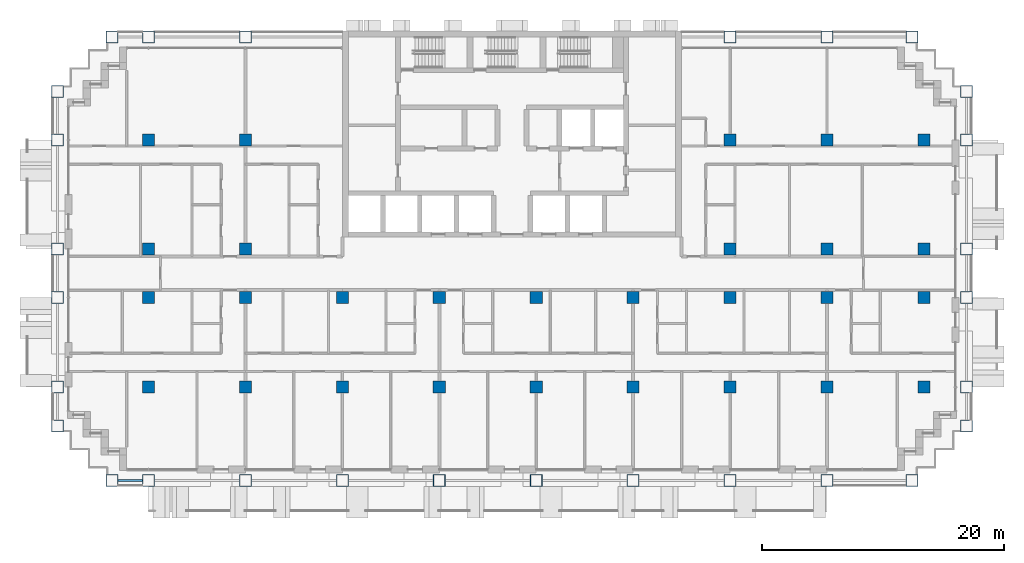
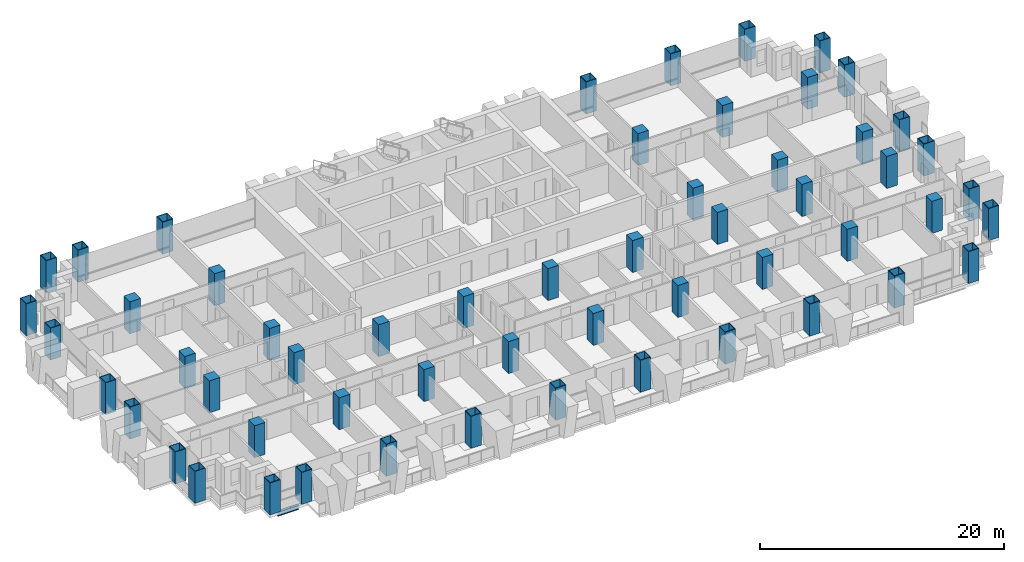
# One storey, part 1 of 19: 56 columns, 1 beam.
"""IFC4 building model written with IfcOpenShell, lengths in metres."""

from ifc_helpers import new_model, si_unit, direction, frame, origin, origin_2d, place, context, subcontext, project, spatial, rectangle, hollow_rectangle, i_section, extrude, material, material_profile, profile_set, type_object, element, save


model = new_model("IFC4")

# Units and contexts
model_context = context("Model", 3, precision=1e-05, world=origin(), true_north=direction((0.0, 1.0)))
body_context = subcontext(model_context, "Body", "Model", "MODEL_VIEW")
ifc_project = project(units=[si_unit("LENGTHUNIT", "METRE"), si_unit("AREAUNIT", "SQUARE_METRE"), si_unit("VOLUMEUNIT", "CUBIC_METRE"), si_unit("PLANEANGLEUNIT", "RADIAN"), si_unit("MASSUNIT", "GRAM", prefix="KILO")], contexts=[model_context])

# Site, building, storey
site_placement = place(None, origin())
site = spatial("IfcSite", under=ifc_project, at=site_placement, CompositionType="ELEMENT")
building_placement = place(site_placement, origin())
building = spatial("IfcBuilding", under=site, at=building_placement, Name="Vidyagriha Tower", CompositionType="ELEMENT")
storey_placement = place(building_placement, frame((0.0, 0.0, 57.60009765625)))
storey = spatial("IfcBuildingStorey", under=building, at=storey_placement, Name="L15", CompositionType="ELEMENT", Elevation=57.60009765625)

# Columns
ifc_material_1 = material(Name="Steel ASTM A572 Grade 50", Category="steel")
ifc_material_profile_1 = material_profile(ifc_material_1, hollow_rectangle(XDim=1.0, YDim=1.0, WallThickness=0.050048828125, at=origin_2d()), Name="BOX 1000x1000x50")
ifc_profile_set_1 = profile_set([ifc_material_profile_1], Name="Steel ASTM A572 Grade 50")
column_type_1 = type_object("IfcColumnType", Name="Exoskeleton column BOX 1000x1000x50", PredefinedType="COLUMN", material=ifc_profile_set_1)
for number, where, name in (
    (1, (-33.0, -17.10009765625, 0.0), "st-col-L15-B1-001"),
    (2, (-30.0, -17.10009765625, 0.0), "st-col-L15-B1-002"),
    (3, (-22.0, -17.10009765625, 0.0), "st-col-L15-B1-003"),
    (4, (-14.0, -17.10009765625, 0.0), "st-col-L15-B1-004"),
    (5, (-6.0, -17.10009765625, 0.0), "st-col-L15-B1-005"),
    (6, (2.0, -17.10009765625, 0.0), "st-col-L15-B1-006"),
    (7, (10.0, -17.10009765625, 0.0), "st-col-L15-B1-007"),
    (8, (18.0, -17.10009765625, 0.0), "st-col-L15-B1-008"),
    (9, (26.0, -17.10009765625, 0.0), "st-col-L15-B1-009"),
    (10, (33.0, -17.10009765625, 0.0), "st-col-L15-B1-010"),
    (11, (-37.5, -12.60009765625, 0.0), "st-col-L15-B1-011"),
    (12, (37.5, -12.60009765625, 0.0), "st-col-L15-B1-012"),
    (13, (-37.5, -9.39990234375, 0.0), "st-col-L15-B1-013"),
    (14, (37.5, -9.39990234375, 0.0), "st-col-L15-B1-023"),
    (15, (-37.5, -2.0, 0.0), "st-col-L15-B1-024"),
    (16, (37.5, -2.0, 0.0), "st-col-L15-B1-034"),
    (17, (-37.5, 2.0, 0.0), "st-col-L15-B1-035"),
    (18, (37.5, 2.0, 0.0), "st-col-L15-B1-041"),
    (19, (-37.5, 11.0, 0.0), "st-col-L15-B1-042"),
    (20, (37.5, 11.0, 0.0), "st-col-L15-B1-048"),
    (21, (-37.5, 15.0, 0.0), "st-col-L15-B1-049"),
    (22, (37.5, 15.0, 0.0), "st-col-L15-B1-050"),
    (23, (-33.0, 19.5, 0.0), "st-col-L15-B1-051"),
    (24, (-30.0, 19.5, 0.0), "st-col-L15-B1-052"),
    (25, (-22.0, 19.5, 0.0), "st-col-L15-B1-053"),
    (26, (18.0, 19.5, 0.0), "st-col-L15-B1-054"),
    (27, (26.0, 19.5, 0.0), "st-col-L15-B1-055"),
    (28, (33.0, 19.5, 0.0), "st-col-L15-B1-056"),
):
    element("IfcColumn", number, at=place(storey_placement, frame(where)), inside=storey, type_object=column_type_1, Name=name, PredefinedType="COLUMN", context=body_context, shape_type="SweptSolid", body=[
        extrude(hollow_rectangle(XDim=1.0, YDim=1.0, WallThickness=0.050048828125, at=origin_2d()), origin(), (0.0, 0.0, 1.0), 3.199951171875),
    ])
ifc_material_2 = material(Name="Concrete C80/95", Category="concrete")
ifc_material_profile_2 = material_profile(ifc_material_2, rectangle(XDim=1.0, YDim=1.0, at=origin_2d()), Name="RC 1000x1000")
ifc_profile_set_2 = profile_set([ifc_material_profile_2], Name="Concrete C80/95")
column_type_2 = type_object("IfcColumnType", Name="Frame column RC 1000x1000", PredefinedType="COLUMN", material=ifc_profile_set_2)
for number, where, name in (
    (29, (-30.0, -9.39990234375, 0.0), "st-col-L15-B1-014"),
    (30, (-22.0, -9.39990234375, 0.0), "st-col-L15-B1-015"),
    (31, (-14.0, -9.39990234375, 0.0), "st-col-L15-B1-016"),
    (32, (-6.0, -9.39990234375, 0.0), "st-col-L15-B1-017"),
    (33, (2.0, -9.39990234375, 0.0), "st-col-L15-B1-018"),
    (34, (10.0, -9.39990234375, 0.0), "st-col-L15-B1-019"),
    (35, (18.0, -9.39990234375, 0.0), "st-col-L15-B1-020"),
    (36, (26.0, -9.39990234375, 0.0), "st-col-L15-B1-021"),
    (37, (34.0, -9.39990234375, 0.0), "st-col-L15-B1-022"),
    (38, (-30.0, -2.0, 0.0), "st-col-L15-B1-025"),
    (39, (-22.0, -2.0, 0.0), "st-col-L15-B1-026"),
    (40, (-14.0, -2.0, 0.0), "st-col-L15-B1-027"),
    (41, (-6.0, -2.0, 0.0), "st-col-L15-B1-028"),
    (42, (2.0, -2.0, 0.0), "st-col-L15-B1-029"),
    (43, (10.0, -2.0, 0.0), "st-col-L15-B1-030"),
    (44, (18.0, -2.0, 0.0), "st-col-L15-B1-031"),
    (45, (26.0, -2.0, 0.0), "st-col-L15-B1-032"),
    (46, (34.0, -2.0, 0.0), "st-col-L15-B1-033"),
    (47, (-30.0, 2.0, 0.0), "st-col-L15-B1-036"),
    (48, (-22.0, 2.0, 0.0), "st-col-L15-B1-037"),
    (49, (18.0, 2.0, 0.0), "st-col-L15-B1-038"),
    (50, (26.0, 2.0, 0.0), "st-col-L15-B1-039"),
    (51, (34.0, 2.0, 0.0), "st-col-L15-B1-040"),
    (52, (-30.0, 11.0, 0.0), "st-col-L15-B1-043"),
    (53, (-22.0, 11.0, 0.0), "st-col-L15-B1-044"),
    (54, (18.0, 11.0, 0.0), "st-col-L15-B1-045"),
    (55, (26.0, 11.0, 0.0), "st-col-L15-B1-046"),
    (56, (34.0, 11.0, 0.0), "st-col-L15-B1-047"),
):
    element("IfcColumn", number, at=place(storey_placement, frame(where)), inside=storey, type_object=column_type_2, Name=name, PredefinedType="COLUMN", context=body_context, shape_type="SweptSolid", body=[
        extrude(rectangle(XDim=1.0, YDim=1.0, at=origin_2d()), origin(), (0.0, 0.0, 1.0), 3.199951171875),
    ])

# Beam
ifc_material_3 = material(Name="Steel ASTM A992 Grade 50", Category="steel")
ifc_material_profile_3 = material_profile(ifc_material_3, i_section(OverallWidth=0.19189453125, OverallDepth=0.46240234375, WebThickness=0.010498046875, FlangeThickness=0.017578125, at=origin_2d()), Name="W18X60")
ifc_profile_set_3 = profile_set([ifc_material_profile_3], Name="Steel ASTM A992 Grade 50")
beam_type = type_object("IfcBeamType", Name="Edge beam W18X60", PredefinedType="SPANDREL", material=ifc_profile_set_3)
beam_placement = place(storey_placement, frame((-32.5, -17.10009765625, -0.51123046875), z_axis=(1.0, 0.0, 0.0), x_axis=(0.0, 1.0, 0.0)))
element("IfcBeam", 57, at=beam_placement, inside=storey, type_object=beam_type, Name="st-beam-L15-S01", PredefinedType="SPANDREL", context=body_context, shape_type="SweptSolid", body=[
    extrude(i_section(OverallWidth=0.19189453125, OverallDepth=0.46240234375, WebThickness=0.010498046875, FlangeThickness=0.017578125, at=origin_2d()), origin(), (0.0, 0.0, 1.0), 2.0),
])

save(model, "model.ifc")
